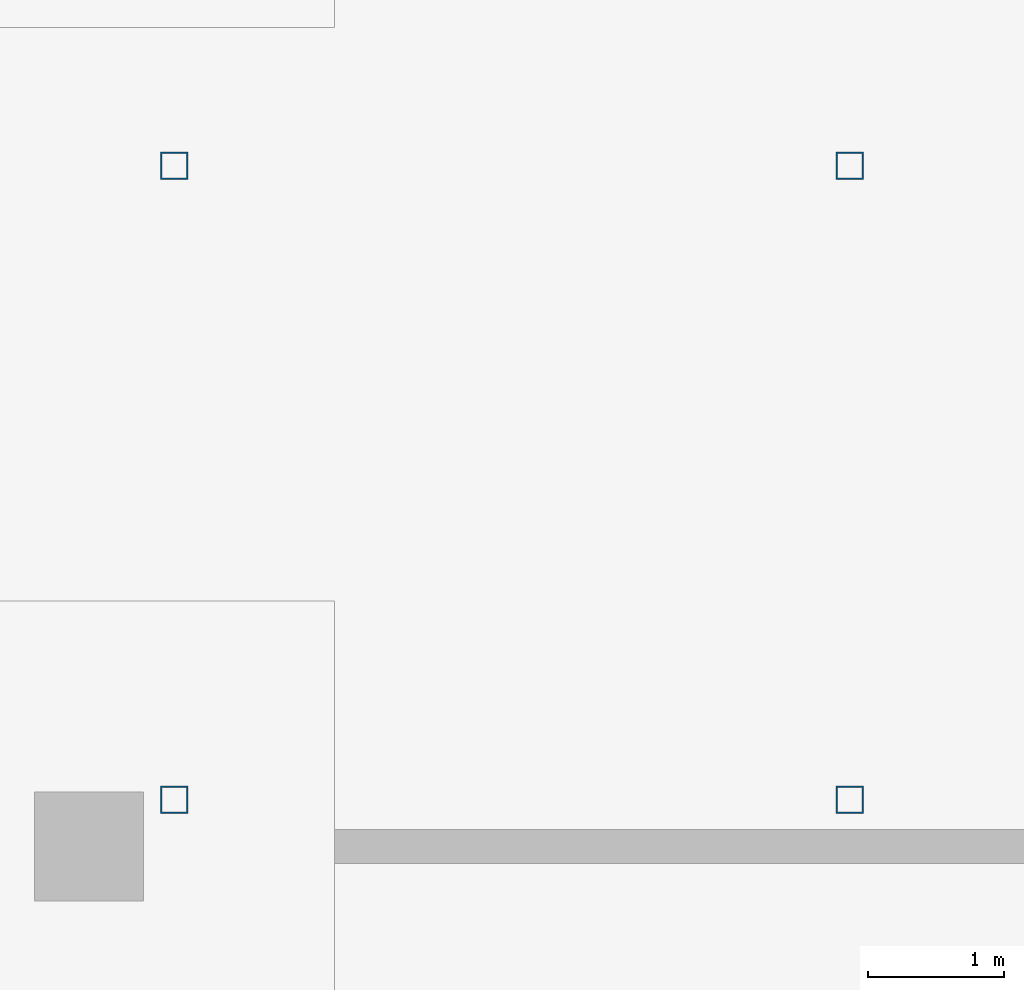
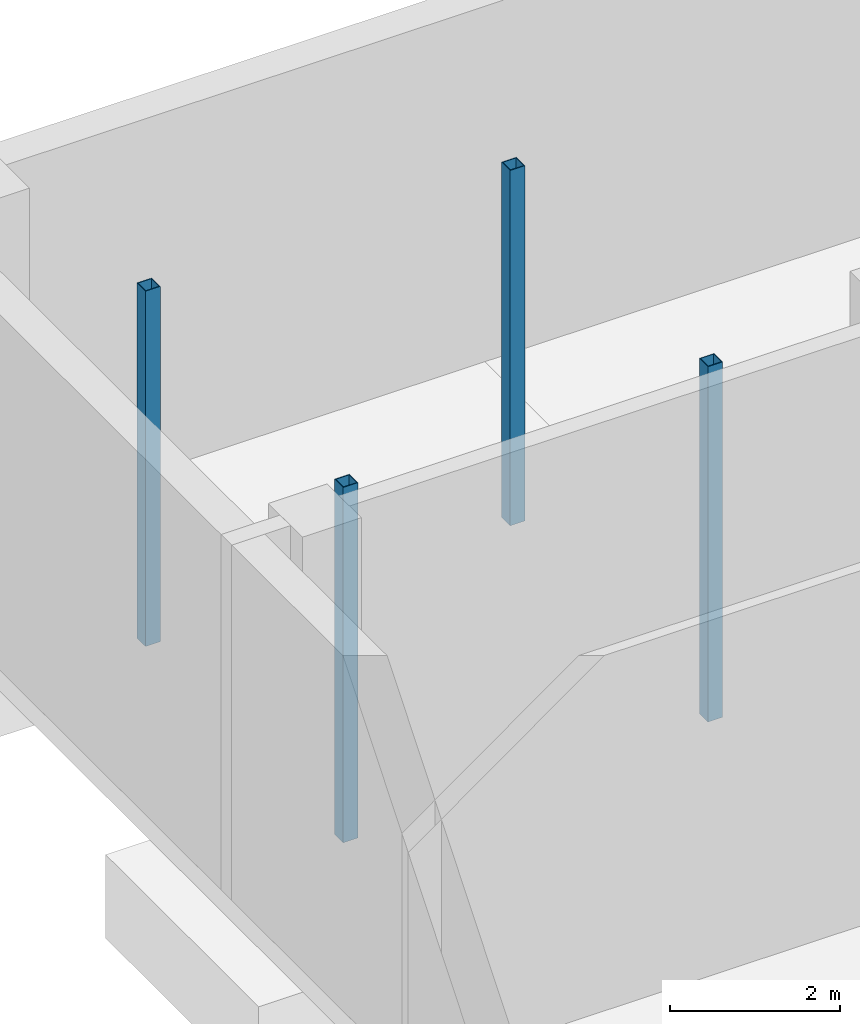
# One storey, part 6 of 18: 4 columns.
"""IFC4 building model written with IfcOpenShell, lengths in metres."""

from ifc_helpers import new_model, si_unit, direction, frame, origin, origin_2d, place, context, subcontext, project, spatial, hollow_rectangle, extrude, material, material_profile, profile_set, type_object, element, save


model = new_model("IFC4")

# Units and contexts
model_context = context("Model", 3, precision=1e-05, world=origin(), true_north=direction((0.0, 1.0)))
body_context = subcontext(model_context, "Body", "Model", "MODEL_VIEW")
ifc_project = project(units=[si_unit("LENGTHUNIT", "METRE"), si_unit("AREAUNIT", "SQUARE_METRE"), si_unit("VOLUMEUNIT", "CUBIC_METRE"), si_unit("PLANEANGLEUNIT", "RADIAN"), si_unit("MASSUNIT", "GRAM", prefix="KILO")], contexts=[model_context])

# Site, building, storey
site_placement = place(None, origin())
site = spatial("IfcSite", under=ifc_project, at=site_placement, CompositionType="ELEMENT")
building_placement = place(site_placement, origin())
building = spatial("IfcBuilding", under=site, at=building_placement, Name="Dunama Terrace Hotel", CompositionType="ELEMENT")
storey_placement = place(building_placement, frame((0.0, 0.0, -5.39990234375)))
storey = spatial("IfcBuildingStorey", under=building, at=storey_placement, Name="B1", CompositionType="ELEMENT", Elevation=-5.39990234375)

# Columns
ifc_material = material(Name="Steel S355", Category="steel")
ifc_material_profile = material_profile(ifc_material, hollow_rectangle(XDim=0.199951171875, YDim=0.199951171875, WallThickness=0.010009765625, at=origin_2d()), Name="SHS 200x200x10")
ifc_profile_set = profile_set([ifc_material_profile], Name="Steel S355")
column_type = type_object("IfcColumnType", Name="Stair post SHS 200x200x10", PredefinedType="COLUMN", material=ifc_profile_set)
for number, where, z_axis, x_axis, name in (
    (1, (-7.77490234375, 50.742431640625, 0.0), (0.0, 0.0, 1.0), (1.0, 0.0, 0.0), "Stair post P3 B1 -7.78/+50.74"),
    (2, (-2.824951171875, 50.742431640625, 0.0), (0.0, 0.0, 1.0), (1.0, 0.0, 0.0), "Stair post P3 B1 -2.83/+50.74"),
    (3, (-7.77490234375, 55.387451171875, 0.0), (0.0, 0.0, 1.0), (1.0, 0.0, 0.0), "Stair post P3 B1 -7.78/+55.39"),
    (4, (-2.824951171875, 55.387451171875, 0.0), (0.0, 0.0, 1.0), (1.0, 0.0, 0.0), "Stair post P3 B1 -2.83/+55.39"),
):
    element("IfcColumn", number, at=place(storey_placement, frame(where, z_axis=z_axis, x_axis=x_axis)), inside=storey, type_object=column_type, Name=name, PredefinedType="COLUMN", context=body_context, shape_type="SweptSolid", body=[
        extrude(hollow_rectangle(XDim=0.199951171875, YDim=0.199951171875, WallThickness=0.010009765625, at=origin_2d()), origin(), (0.0, 0.0, 1.0), 5.099853515625),
    ])

save(model, "model.ifc")
